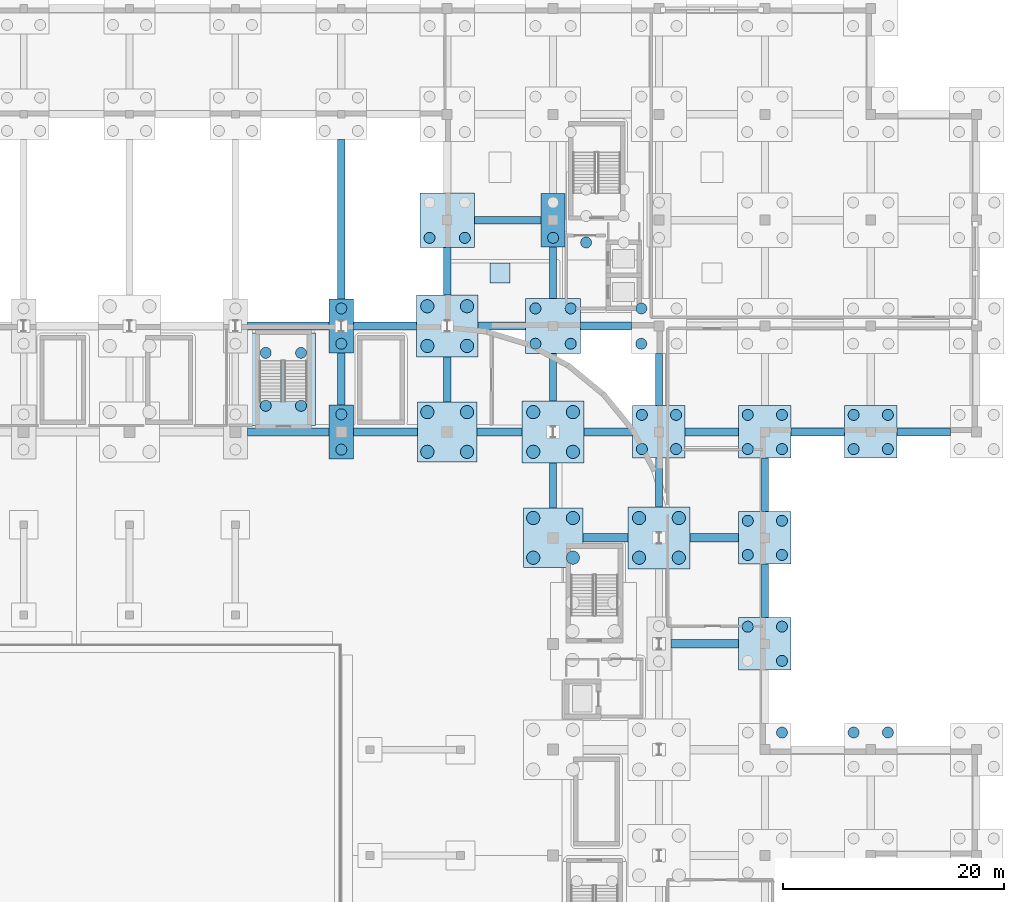
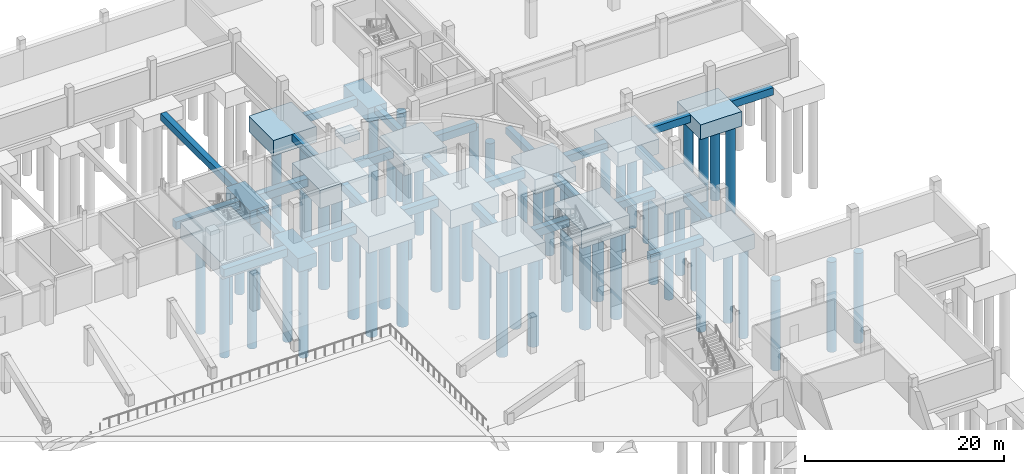
# One storey, part 9 of 67: 60 piles, 43 footings.
"""IFC4 building model written with IfcOpenShell, lengths in metres."""

from ifc_helpers import new_model, si_unit, direction, frame, origin, origin_2d, place, context, subcontext, project, spatial, polyline, rectangle, circle, outline, extrude, material, material_profile, profile_set, type_object, element, save


model = new_model("IFC4")

# Units and contexts
model_context = context("Model", 3, precision=1e-05, world=origin(), true_north=direction((0.0, 1.0)))
body_context = subcontext(model_context, "Body", "Model", "MODEL_VIEW")
ifc_project = project(units=[si_unit("LENGTHUNIT", "METRE"), si_unit("AREAUNIT", "SQUARE_METRE"), si_unit("VOLUMEUNIT", "CUBIC_METRE"), si_unit("PLANEANGLEUNIT", "RADIAN"), si_unit("MASSUNIT", "GRAM", prefix="KILO")], contexts=[model_context])

# Site, building, storey
site_placement = place(None, origin())
site = spatial("IfcSite", under=ifc_project, at=site_placement, CompositionType="ELEMENT")
building_placement = place(site_placement, origin())
building = spatial("IfcBuilding", under=site, at=building_placement, Name="Caelomonte Colonnade Arena", CompositionType="ELEMENT")
storey_placement = place(building_placement, frame((0.0, 0.0, -4.800048828125)))
storey = spatial("IfcBuildingStorey", under=building, at=storey_placement, Name="B1", CompositionType="ELEMENT", Elevation=-4.800048828125)

# Footings
ifc_material = material(Name="Concrete C40/50", Category="concrete")
footing_type_1 = type_object("IfcFootingType", Name="STR-FB-GB01", PredefinedType="FOOTING_BEAM", material=ifc_material)
footing_1_placement = place(storey_placement, frame((0.0, 0.0, -1.39990234375)))
element("IfcFooting", 1, at=footing_1_placement, inside=storey, type_object=footing_type_1, Name="Ground tie beam X (163.2..172.8, Y=86.4)", PredefinedType="FOOTING_BEAM", context=body_context, shape_type="SweptSolid", body=[
    extrude(outline(polyline([(164.300048828125, 86.02490234375), (170.419921875, 86.02490234375), (170.419921875, 86.77490234375), (164.300048828125, 86.77490234375), (164.300048828125, 86.02490234375)])), origin(), (0.0, 0.0, 1.0), 0.949951171875),
])
footing_2_placement = place(storey_placement, frame((0.0, 0.0, -1.39990234375)))
element("IfcFooting", 2, at=footing_2_placement, inside=storey, type_object=footing_type_1, Name="Ground tie beam X (153.6..163.2, Y=96.0)", PredefinedType="FOOTING_BEAM", context=body_context, shape_type="SweptSolid", body=[
    extrude(outline(polyline([(156.300048828125, 95.625), (160.39990234375, 95.625), (160.39990234375, 96.375), (156.300048828125, 96.375), (156.300048828125, 95.625)])), origin(), (0.0, 0.0, 1.0), 0.949951171875),
])
footing_3_placement = place(storey_placement, frame((0.0, 0.0, -1.39990234375)))
element("IfcFooting", 3, at=footing_3_placement, inside=storey, type_object=footing_type_1, Name="Ground tie beam X (163.2..172.8, Y=96.0)", PredefinedType="FOOTING_BEAM", context=body_context, shape_type="SweptSolid", body=[
    extrude(outline(polyline([(166.0, 95.625), (170.419921875, 95.625), (170.419921875, 96.375), (166.0, 96.375), (166.0, 95.625)])), origin(), (0.0, 0.0, 1.0), 0.949951171875),
])
footing_4_placement = place(storey_placement, frame((0.0, 0.0, -1.39990234375)))
element("IfcFooting", 4, at=footing_4_placement, inside=storey, type_object=footing_type_1, Name="Ground tie beam X (124.8..134.4, Y=105.6)", PredefinedType="FOOTING_BEAM", context=body_context, shape_type="SweptSolid", body=[
    extrude(outline(polyline([(125.89990234375, 105.22509765625), (133.300048828125, 105.22509765625), (133.300048828125, 105.97509765625), (125.89990234375, 105.97509765625), (125.89990234375, 105.22509765625)])), origin(), (0.0, 0.0, 1.0), 0.949951171875),
])
footing_5_placement = place(storey_placement, frame((0.0, 0.0, -1.39990234375)))
element("IfcFooting", 5, at=footing_5_placement, inside=storey, type_object=footing_type_1, Name="Ground tie beam X (134.4..144.0, Y=105.6)", PredefinedType="FOOTING_BEAM", context=body_context, shape_type="SweptSolid", body=[
    extrude(outline(polyline([(135.5, 105.22509765625), (141.300048828125, 105.22509765625), (141.300048828125, 105.97509765625), (135.5, 105.97509765625), (135.5, 105.22509765625)])), origin(), (0.0, 0.0, 1.0), 0.949951171875),
])
footing_6_placement = place(storey_placement, frame((0.0, 0.0, -1.39990234375)))
element("IfcFooting", 6, at=footing_6_placement, inside=storey, type_object=footing_type_1, Name="Ground tie beam X (144.0..153.6, Y=105.6)", PredefinedType="FOOTING_BEAM", context=body_context, shape_type="SweptSolid", body=[
    extrude(outline(polyline([(146.699951171875, 105.22509765625), (150.800048828125, 105.22509765625), (150.800048828125, 105.97509765625), (146.699951171875, 105.97509765625), (146.699951171875, 105.22509765625)])), origin(), (0.0, 0.0, 1.0), 0.949951171875),
])
footing_7_placement = place(storey_placement, frame((0.0, 0.0, -1.39990234375)))
element("IfcFooting", 7, at=footing_7_placement, inside=storey, type_object=footing_type_1, Name="Ground tie beam X (153.6..163.2, Y=105.6)", PredefinedType="FOOTING_BEAM", context=body_context, shape_type="SweptSolid", body=[
    extrude(outline(polyline([(156.39990234375, 105.22509765625), (160.820068359375, 105.22509765625), (160.820068359375, 105.97509765625), (156.39990234375, 105.97509765625), (156.39990234375, 105.22509765625)])), origin(), (0.0, 0.0, 1.0), 0.949951171875),
])
footing_8_placement = place(storey_placement, frame((0.0, 0.0, -1.39990234375)))
element("IfcFooting", 8, at=footing_8_placement, inside=storey, type_object=footing_type_1, Name="Ground tie beam X (163.2..172.8, Y=105.6)", PredefinedType="FOOTING_BEAM", context=body_context, shape_type="SweptSolid", body=[
    extrude(outline(polyline([(165.580078125, 105.22509765625), (170.419921875, 105.22509765625), (170.419921875, 105.97509765625), (165.580078125, 105.97509765625), (165.580078125, 105.22509765625)])), origin(), (0.0, 0.0, 1.0), 0.949951171875),
])
footing_9_placement = place(storey_placement, frame((0.0, 0.0, -1.39990234375)))
element("IfcFooting", 9, at=footing_9_placement, inside=storey, type_object=footing_type_1, Name="Ground tie beam X (124.8..134.4, Y=115.2)", PredefinedType="FOOTING_BEAM", context=body_context, shape_type="SweptSolid", body=[
    extrude(outline(polyline([(125.89990234375, 114.824951171875), (133.300048828125, 114.824951171875), (133.300048828125, 115.574951171875), (125.89990234375, 115.574951171875), (125.89990234375, 114.824951171875)])), origin(), (0.0, 0.0, 1.0), 0.949951171875),
])
footing_10_placement = place(storey_placement, frame((0.0, 0.0, -1.39990234375)))
element("IfcFooting", 10, at=footing_10_placement, inside=storey, type_object=footing_type_1, Name="Ground tie beam X (134.4..144.0, Y=115.2)", PredefinedType="FOOTING_BEAM", context=body_context, shape_type="SweptSolid", body=[
    extrude(outline(polyline([(135.5, 114.824951171875), (141.199951171875, 114.824951171875), (141.199951171875, 115.574951171875), (135.5, 115.574951171875), (135.5, 114.824951171875)])), origin(), (0.0, 0.0, 1.0), 0.949951171875),
])
footing_11_placement = place(storey_placement, frame((0.0, 0.0, -1.39990234375)))
element("IfcFooting", 11, at=footing_11_placement, inside=storey, type_object=footing_type_1, Name="Ground tie beam X (144.0..153.6, Y=115.2)", PredefinedType="FOOTING_BEAM", context=body_context, shape_type="SweptSolid", body=[
    extrude(outline(polyline([(146.800048828125, 114.824951171875), (151.1201171875, 114.824951171875), (151.1201171875, 115.574951171875), (146.800048828125, 115.574951171875), (146.800048828125, 114.824951171875)])), origin(), (0.0, 0.0, 1.0), 0.949951171875),
])
footing_12_placement = place(storey_placement, frame((0.0, 0.0, -1.39990234375)))
element("IfcFooting", 12, at=footing_12_placement, inside=storey, type_object=footing_type_1, Name="Ground tie beam X (153.6..163.2, Y=115.2)", PredefinedType="FOOTING_BEAM", context=body_context, shape_type="SweptSolid", body=[
    extrude(outline(polyline([(156.080078125, 114.824951171875), (160.719970703125, 114.824951171875), (160.719970703125, 115.574951171875), (156.080078125, 115.574951171875), (156.080078125, 114.824951171875)])), origin(), (0.0, 0.0, 1.0), 0.949951171875),
])
footing_type_2 = type_object("IfcFootingType", Name="STR-FB-GB02", PredefinedType="FOOTING_BEAM", material=ifc_material)
footing_13_placement = place(storey_placement, frame((0.0, 0.0, -1.349853515625)))
element("IfcFooting", 13, at=footing_13_placement, inside=storey, type_object=footing_type_2, Name="Ground tie beam X (172.8..182.4, Y=105.6)", PredefinedType="FOOTING_BEAM", context=body_context, shape_type="SweptSolid", body=[
    extrude(outline(polyline([(175.179931640625, 105.25), (180.02001953125, 105.25), (180.02001953125, 105.949951171875), (175.179931640625, 105.949951171875), (175.179931640625, 105.25)])), origin(), (0.0, 0.0, 1.0), 0.89990234375),
])
footing_14_placement = place(storey_placement, frame((0.0, 0.0, -1.349853515625)))
element("IfcFooting", 14, at=footing_14_placement, inside=storey, type_object=footing_type_2, Name="Ground tie beam X (182.4..192.0, Y=105.6)", PredefinedType="FOOTING_BEAM", context=body_context, shape_type="SweptSolid", body=[
    extrude(outline(polyline([(184.780029296875, 105.25), (189.6201171875, 105.25), (189.6201171875, 105.949951171875), (184.780029296875, 105.949951171875), (184.780029296875, 105.25)])), origin(), (0.0, 0.0, 1.0), 0.89990234375),
])
footing_15_placement = place(storey_placement, frame((0.0, 0.0, -1.349853515625)))
element("IfcFooting", 15, at=footing_15_placement, inside=storey, type_object=footing_type_2, Name="Ground tie beam X (144.0..153.6, Y=124.8)", PredefinedType="FOOTING_BEAM", context=body_context, shape_type="SweptSolid", body=[
    extrude(outline(polyline([(146.47998046875, 124.449951171875), (152.5, 124.449951171875), (152.5, 125.14990234375), (146.47998046875, 125.14990234375), (146.47998046875, 124.449951171875)])), origin(), (0.0, 0.0, 1.0), 0.89990234375),
])
footing_type_3 = type_object("IfcFootingType", Name="STR-FB-GB03", PredefinedType="FOOTING_BEAM", material=ifc_material)
footing_16_placement = place(storey_placement, frame((0.0, 0.0, -1.300048828125)))
element("IfcFooting", 16, at=footing_16_placement, inside=storey, type_object=footing_type_3, Name="Ground tie beam Y (X=134.4, 105.6..115.2)", PredefinedType="FOOTING_BEAM", context=body_context, shape_type="SweptSolid", body=[
    extrude(outline(polyline([(134.074951171875, 108.0400390625), (134.72509765625, 108.0400390625), (134.72509765625, 112.760009765625), (134.074951171875, 112.760009765625), (134.074951171875, 108.0400390625)])), origin(), (0.0, 0.0, 1.0), 0.85009765625),
])
footing_17_placement = place(storey_placement, frame((0.0, 0.0, -1.300048828125)))
element("IfcFooting", 17, at=footing_17_placement, inside=storey, type_object=footing_type_3, Name="Ground tie beam Y (X=134.4, 115.2..134.4)", PredefinedType="FOOTING_BEAM", context=body_context, shape_type="SweptSolid", body=[
    extrude(outline(polyline([(134.074951171875, 117.639892578125), (134.72509765625, 117.639892578125), (134.72509765625, 132.10009765625), (134.074951171875, 132.10009765625), (134.074951171875, 117.639892578125)])), origin(), (0.0, 0.0, 1.0), 0.85009765625),
])
footing_18_placement = place(storey_placement, frame((0.0, 0.0, -1.300048828125)))
element("IfcFooting", 18, at=footing_18_placement, inside=storey, type_object=footing_type_3, Name="Ground tie beam Y (X=144.0, 105.6..115.2)", PredefinedType="FOOTING_BEAM", context=body_context, shape_type="SweptSolid", body=[
    extrude(outline(polyline([(143.675048828125, 108.300048828125), (144.324951171875, 108.300048828125), (144.324951171875, 112.39990234375), (143.675048828125, 112.39990234375), (143.675048828125, 108.300048828125)])), origin(), (0.0, 0.0, 1.0), 0.85009765625),
])
footing_19_placement = place(storey_placement, frame((0.0, 0.0, -1.300048828125)))
element("IfcFooting", 19, at=footing_19_placement, inside=storey, type_object=footing_type_3, Name="Ground tie beam Y (X=144.0, 115.2..124.8)", PredefinedType="FOOTING_BEAM", context=body_context, shape_type="SweptSolid", body=[
    extrude(outline(polyline([(143.675048828125, 118.0), (144.324951171875, 118.0), (144.324951171875, 122.320068359375), (143.675048828125, 122.320068359375), (143.675048828125, 118.0)])), origin(), (0.0, 0.0, 1.0), 0.85009765625),
])
footing_20_placement = place(storey_placement, frame((0.0, 0.0, -1.300048828125)))
element("IfcFooting", 20, at=footing_20_placement, inside=storey, type_object=footing_type_3, Name="Ground tie beam Y (X=153.6, 96.0..105.6)", PredefinedType="FOOTING_BEAM", context=body_context, shape_type="SweptSolid", body=[
    extrude(outline(polyline([(153.27490234375, 98.699951171875), (153.925048828125, 98.699951171875), (153.925048828125, 102.800048828125), (153.27490234375, 102.800048828125), (153.27490234375, 98.699951171875)])), origin(), (0.0, 0.0, 1.0), 0.85009765625),
])
footing_21_placement = place(storey_placement, frame((0.0, 0.0, -1.300048828125)))
element("IfcFooting", 21, at=footing_21_placement, inside=storey, type_object=footing_type_3, Name="Ground tie beam Y (X=153.6, 105.6..115.2)", PredefinedType="FOOTING_BEAM", context=body_context, shape_type="SweptSolid", body=[
    extrude(outline(polyline([(153.27490234375, 108.39990234375), (153.925048828125, 108.39990234375), (153.925048828125, 112.719970703125), (153.27490234375, 112.719970703125), (153.27490234375, 108.39990234375)])), origin(), (0.0, 0.0, 1.0), 0.85009765625),
])
footing_22_placement = place(storey_placement, frame((0.0, 0.0, -1.300048828125)))
element("IfcFooting", 22, at=footing_22_placement, inside=storey, type_object=footing_type_3, Name="Ground tie beam Y (X=153.6, 115.2..124.8)", PredefinedType="FOOTING_BEAM", context=body_context, shape_type="SweptSolid", body=[
    extrude(outline(polyline([(153.27490234375, 117.679931640625), (153.925048828125, 117.679931640625), (153.925048828125, 122.360107421875), (153.27490234375, 122.360107421875), (153.27490234375, 117.679931640625)])), origin(), (0.0, 0.0, 1.0), 0.85009765625),
])
footing_23_placement = place(storey_placement, frame((0.0, 0.0, -1.300048828125)))
element("IfcFooting", 23, at=footing_23_placement, inside=storey, type_object=footing_type_3, Name="Ground tie beam Y (X=163.2, 96.0..105.6)", PredefinedType="FOOTING_BEAM", context=body_context, shape_type="SweptSolid", body=[
    extrude(outline(polyline([(162.875, 98.800048828125), (163.52490234375, 98.800048828125), (163.52490234375, 103.219970703125), (162.875, 103.219970703125), (162.875, 98.800048828125)])), origin(), (0.0, 0.0, 1.0), 0.85009765625),
])
footing_24_placement = place(storey_placement, frame((0.0, 0.0, -1.300048828125)))
element("IfcFooting", 24, at=footing_24_placement, inside=storey, type_object=footing_type_3, Name="Ground tie beam Y (X=163.2, 105.6..115.2)", PredefinedType="FOOTING_BEAM", context=body_context, shape_type="SweptSolid", body=[
    extrude(outline(polyline([(162.875, 107.97998046875), (163.52490234375, 107.97998046875), (163.52490234375, 112.719970703125), (162.875, 112.719970703125), (162.875, 107.97998046875)])), origin(), (0.0, 0.0, 1.0), 0.85009765625),
])
footing_25_placement = place(storey_placement, frame((0.0, 0.0, -1.300048828125)))
element("IfcFooting", 25, at=footing_25_placement, inside=storey, type_object=footing_type_3, Name="Ground tie beam Y (X=172.8, 86.4..96.0)", PredefinedType="FOOTING_BEAM", context=body_context, shape_type="SweptSolid", body=[
    extrude(outline(polyline([(172.47509765625, 88.780029296875), (173.125, 88.780029296875), (173.125, 93.6201171875), (172.47509765625, 93.6201171875), (172.47509765625, 88.780029296875)])), origin(), (0.0, 0.0, 1.0), 0.85009765625),
])
footing_26_placement = place(storey_placement, frame((0.0, 0.0, -1.300048828125)))
element("IfcFooting", 26, at=footing_26_placement, inside=storey, type_object=footing_type_3, Name="Ground tie beam Y (X=172.8, 96.0..105.6)", PredefinedType="FOOTING_BEAM", context=body_context, shape_type="SweptSolid", body=[
    extrude(outline(polyline([(172.47509765625, 98.3798828125), (173.125, 98.3798828125), (173.125, 103.219970703125), (172.47509765625, 103.219970703125), (172.47509765625, 98.3798828125)])), origin(), (0.0, 0.0, 1.0), 0.85009765625),
])
footing_type_4 = type_object("IfcFootingType", Name="STR-FC-PC01", PredefinedType="PILE_CAP", material=ifc_material)
for number, where, z_axis, x_axis, name in (
    (27, (144.0, 115.199951171875, -2.64990234375), (0.0, 0.0, 1.0), (1.0, 0.0, 0.0), "Pile cap FC-1440-1152"),
    (28, (153.60009765625, 105.60009765625, -2.64990234375), (0.0, 0.0, 1.0), (1.0, 0.0, 0.0), "Pile cap FC-1536-1056"),
    (29, (163.199951171875, 96.0, -2.64990234375), (0.0, 0.0, 1.0), (1.0, 0.0, 0.0), "Pile cap FC-1632-0960"),
):
    element("IfcFooting", number, at=place(storey_placement, frame(where, z_axis=z_axis, x_axis=x_axis)), inside=storey, type_object=footing_type_4, Name=name, PredefinedType="PILE_CAP", context=body_context, shape_type="SweptSolid", body=[
        extrude(rectangle(XDim=5.60009765625, YDim=5.60009765625, at=origin_2d()), origin(), (0.0, 0.0, 1.0), 2.199951171875),
    ])
footing_type_5 = type_object("IfcFootingType", Name="STR-FC-PC02", PredefinedType="PILE_CAP", material=ifc_material)
for number, where, z_axis, x_axis, name in (
    (30, (144.0, 105.60009765625, -2.449951171875), (0.0, 0.0, 1.0), (1.0, 0.0, 0.0), "Pile cap FC-1440-1056"),
    (31, (153.60009765625, 96.0, -2.449951171875), (0.0, 0.0, 1.0), (1.0, 0.0, 0.0), "Pile cap FC-1536-0960"),
):
    element("IfcFooting", number, at=place(storey_placement, frame(where, z_axis=z_axis, x_axis=x_axis)), inside=storey, type_object=footing_type_5, Name=name, PredefinedType="PILE_CAP", context=body_context, shape_type="SweptSolid", body=[
        extrude(rectangle(XDim=5.39990234375, YDim=5.39990234375, at=origin_2d()), origin(), (0.0, 0.0, 1.0), 2.0),
    ])
footing_type_6 = type_object("IfcFootingType", Name="STR-FC-PC03", PredefinedType="PILE_CAP", material=ifc_material)
for number, where, z_axis, x_axis, name in (
    (32, (144.0, 124.800048828125, -2.349853515625), (0.0, 0.0, 1.0), (1.0, 0.0, 0.0), "Pile cap FC-1440-1248"),
    (33, (153.60009765625, 115.199951171875, -2.349853515625), (0.0, 0.0, 1.0), (1.0, 0.0, 0.0), "Pile cap FC-1536-1152"),
):
    element("IfcFooting", number, at=place(storey_placement, frame(where, z_axis=z_axis, x_axis=x_axis)), inside=storey, type_object=footing_type_6, Name=name, PredefinedType="PILE_CAP", context=body_context, shape_type="SweptSolid", body=[
        extrude(rectangle(XDim=4.9599609375, YDim=4.9599609375, at=origin_2d()), origin(), (0.0, 0.0, 1.0), 1.89990234375),
    ])
footing_type_7 = type_object("IfcFootingType", Name="STR-FC-PC04", PredefinedType="PILE_CAP", material=ifc_material)
for number, where, z_axis, x_axis, name in (
    (34, (163.199951171875, 105.60009765625, -2.25), (0.0, 0.0, 1.0), (1.0, 0.0, 0.0), "Pile cap FC-1632-1056"),
    (35, (172.800048828125, 86.39990234375, -2.25), (0.0, 0.0, 1.0), (1.0, 0.0, 0.0), "Pile cap FC-1728-0864"),
    (36, (172.800048828125, 96.0, -2.25), (0.0, 0.0, 1.0), (1.0, 0.0, 0.0), "Pile cap FC-1728-0960"),
    (37, (172.800048828125, 105.60009765625, -2.25), (0.0, 0.0, 1.0), (1.0, 0.0, 0.0), "Pile cap FC-1728-1056"),
    (38, (182.39990234375, 105.60009765625, -2.25), (0.0, 0.0, 1.0), (1.0, 0.0, 0.0), "Pile cap FC-1824-1056"),
):
    element("IfcFooting", number, at=place(storey_placement, frame(where, z_axis=z_axis, x_axis=x_axis)), inside=storey, type_object=footing_type_7, Name=name, PredefinedType="PILE_CAP", context=body_context, shape_type="SweptSolid", body=[
        extrude(rectangle(XDim=4.760009765625, YDim=4.760009765625, at=origin_2d()), origin(), (0.0, 0.0, 1.0), 1.800048828125),
    ])
footing_type_8 = type_object("IfcFootingType", Name="STR-FC-PC07", PredefinedType="PILE_CAP", material=ifc_material)
for number, where, z_axis, x_axis, name in (
    (39, (134.39990234375, 105.60009765625, -2.14990234375), (0.0, 0.0, 1.0), (1.0, 0.0, 0.0), "Pile cap FC-1344-1056"),
    (40, (134.39990234375, 115.199951171875, -2.14990234375), (0.0, 0.0, 1.0), (1.0, 0.0, 0.0), "Pile cap FC-1344-1152"),
    (41, (153.60009765625, 124.800048828125, -2.14990234375), (0.0, 0.0, 1.0), (1.0, 0.0, 0.0), "Pile cap FC-1536-1248"),
):
    element("IfcFooting", number, at=place(storey_placement, frame(where, z_axis=z_axis, x_axis=x_axis)), inside=storey, type_object=footing_type_8, Name=name, PredefinedType="PILE_CAP", context=body_context, shape_type="SweptSolid", body=[
        extrude(rectangle(XDim=2.199951171875, YDim=4.8798828125, at=origin_2d()), origin(), (0.0, 0.0, 1.0), 1.699951171875),
    ])
footing_type_9 = type_object("IfcFootingType", Name="STR-FC-PC12", PredefinedType="PILE_CAP", material=ifc_material)
footing_27_placement = place(storey_placement, frame((129.14990234375, 110.375, -2.349853515625), z_axis=(0.0, 0.0, 1.0), x_axis=(1.0, 0.0, 0.0)))
element("IfcFooting", 42, at=footing_27_placement, inside=storey, type_object=footing_type_9, Name="Exit stair ST-16 pile cap", PredefinedType="PILE_CAP", context=body_context, shape_type="SweptSolid", body=[
    extrude(rectangle(XDim=5.800048828125, YDim=8.39990234375, at=origin_2d()), origin(), (0.0, 0.0, 1.0), 1.89990234375),
])
footing_type_10 = type_object("IfcFootingType", Name="STR-FD-PF04", PredefinedType="PAD_FOOTING", material=ifc_material)
footing_28_placement = place(storey_placement, frame((148.800048828125, 120.0, -1.199951171875), z_axis=(0.0, 0.0, 1.0), x_axis=(1.0, 0.0, 0.0)))
element("IfcFooting", 43, at=footing_28_placement, inside=storey, type_object=footing_type_10, Name="Equipment pad footing PF-07", PredefinedType="PAD_FOOTING", context=body_context, shape_type="SweptSolid", body=[
    extrude(rectangle(XDim=1.800048828125, YDim=1.800048828125, at=origin_2d()), origin(), (0.0, 0.0, 1.0), 0.75),
])

# Piles
ifc_material_profile_1 = material_profile(ifc_material, circle(Radius=0.5, at=origin_2d()), Name="PILE-D1000")
ifc_profile_set_1 = profile_set([ifc_material_profile_1], Name="Concrete C40/50")
pile_type_1 = type_object("IfcPileType", Name="STR-PL-D1000", PredefinedType="BORED", material=ifc_profile_set_1)
pile_1_placement = place(storey_placement, frame((156.60009765625, 122.77490234375, -2.349853515625), z_axis=(0.0, 0.0, -1.0), x_axis=(1.0, 0.0, 0.0)))
element("IfcPile", 44, at=pile_1_placement, inside=storey, type_object=pile_type_1, Name="Core C6 rock-socketed pile 1", PredefinedType="BORED", context=body_context, shape_type="SweptSolid", body=[
    extrude(circle(Radius=0.5, at=origin_2d()), origin(), (0.0, 0.0, 1.0), 10.85009765625),
])
for number, where, z_axis, x_axis, name in (
    (45, (127.550048828125, 107.97509765625, -2.25), (0.0, 0.0, -1.0), (1.0, 0.0, 0.0), "Stair ST-16 rock-socketed pile 1"),
    (46, (127.550048828125, 112.77490234375, -2.25), (0.0, 0.0, -1.0), (1.0, 0.0, 0.0), "Stair ST-16 rock-socketed pile 2"),
    (47, (130.75, 107.97509765625, -2.25), (0.0, 0.0, -1.0), (1.0, 0.0, 0.0), "Stair ST-16 rock-socketed pile 3"),
    (48, (130.75, 112.77490234375, -2.25), (0.0, 0.0, -1.0), (1.0, 0.0, 0.0), "Stair ST-16 rock-socketed pile 4"),
):
    element("IfcPile", number, at=place(storey_placement, frame(where, z_axis=z_axis, x_axis=x_axis)), inside=storey, type_object=pile_type_1, Name=name, PredefinedType="BORED", context=body_context, shape_type="SweptSolid", body=[
        extrude(circle(Radius=0.5, at=origin_2d()), origin(), (0.0, 0.0, 1.0), 10.949951171875),
    ])
for number, where, z_axis, x_axis, name in (
    (49, (134.39990234375, 104.0, -2.050048828125), (0.0, 0.0, -1.0), (1.0, 0.0, 0.0), "Rock-socketed bored pile FC-1344-1056-1"),
    (50, (134.39990234375, 107.199951171875, -2.050048828125), (0.0, 0.0, -1.0), (1.0, 0.0, 0.0), "Rock-socketed bored pile FC-1344-1056-2"),
    (51, (134.39990234375, 113.60009765625, -2.050048828125), (0.0, 0.0, -1.0), (1.0, 0.0, 0.0), "Rock-socketed bored pile FC-1344-1152-1"),
    (52, (134.39990234375, 116.800048828125, -2.050048828125), (0.0, 0.0, -1.0), (1.0, 0.0, 0.0), "Rock-socketed bored pile FC-1344-1152-2"),
):
    element("IfcPile", number, at=place(storey_placement, frame(where, z_axis=z_axis, x_axis=x_axis)), inside=storey, type_object=pile_type_1, Name=name, PredefinedType="BORED", context=body_context, shape_type="SweptSolid", body=[
        extrude(circle(Radius=0.5, at=origin_2d()), origin(), (0.0, 0.0, 1.0), 11.14990234375),
    ])
for number, where, z_axis, x_axis, name in (
    (53, (142.39990234375, 123.199951171875, -2.25), (0.0, 0.0, -1.0), (1.0, 0.0, 0.0), "Rock-socketed bored pile FC-1440-1248-1"),
    (54, (145.60009765625, 123.199951171875, -2.25), (0.0, 0.0, -1.0), (1.0, 0.0, 0.0), "Rock-socketed bored pile FC-1440-1248-2"),
    (55, (152.0, 113.60009765625, -2.25), (0.0, 0.0, -1.0), (1.0, 0.0, 0.0), "Rock-socketed bored pile FC-1536-1152-1"),
    (56, (155.199951171875, 113.60009765625, -2.25), (0.0, 0.0, -1.0), (1.0, 0.0, 0.0), "Rock-socketed bored pile FC-1536-1152-2"),
    (57, (152.0, 116.800048828125, -2.25), (0.0, 0.0, -1.0), (1.0, 0.0, 0.0), "Rock-socketed bored pile FC-1536-1152-3"),
    (58, (155.199951171875, 116.800048828125, -2.25), (0.0, 0.0, -1.0), (1.0, 0.0, 0.0), "Rock-socketed bored pile FC-1536-1152-4"),
):
    element("IfcPile", number, at=place(storey_placement, frame(where, z_axis=z_axis, x_axis=x_axis)), inside=storey, type_object=pile_type_1, Name=name, PredefinedType="BORED", context=body_context, shape_type="SweptSolid", body=[
        extrude(circle(Radius=0.5, at=origin_2d()), origin(), (0.0, 0.0, 1.0), 10.949951171875),
    ])
pile_2_placement = place(storey_placement, frame((153.60009765625, 123.199951171875, -2.050048828125), z_axis=(0.0, 0.0, -1.0), x_axis=(1.0, 0.0, 0.0)))
element("IfcPile", 59, at=pile_2_placement, inside=storey, type_object=pile_type_1, Name="Rock-socketed bored pile FC-1536-1248-1", PredefinedType="BORED", context=body_context, shape_type="SweptSolid", body=[
    extrude(circle(Radius=0.5, at=origin_2d()), origin(), (0.0, 0.0, 1.0), 11.14990234375),
])
for number, where, z_axis, x_axis, name in (
    (60, (161.64990234375, 104.050048828125, -2.14990234375), (0.0, 0.0, -1.0), (1.0, 0.0, 0.0), "Rock-socketed bored pile FC-1632-1056-1"),
    (61, (164.75, 104.050048828125, -2.14990234375), (0.0, 0.0, -1.0), (1.0, 0.0, 0.0), "Rock-socketed bored pile FC-1632-1056-2"),
    (62, (161.64990234375, 107.14990234375, -2.14990234375), (0.0, 0.0, -1.0), (1.0, 0.0, 0.0), "Rock-socketed bored pile FC-1632-1056-3"),
    (63, (164.75, 107.14990234375, -2.14990234375), (0.0, 0.0, -1.0), (1.0, 0.0, 0.0), "Rock-socketed bored pile FC-1632-1056-4"),
):
    element("IfcPile", number, at=place(storey_placement, frame(where, z_axis=z_axis, x_axis=x_axis)), inside=storey, type_object=pile_type_1, Name=name, PredefinedType="BORED", context=body_context, shape_type="SweptSolid", body=[
        extrude(circle(Radius=0.5, at=origin_2d()), origin(), (0.0, 0.0, 1.0), 11.050048828125),
    ])
for number, where, z_axis, x_axis, name in (
    (64, (161.60009765625, 113.60009765625, -2.25), (0.0, 0.0, -1.0), (1.0, 0.0, 0.0), "Rock-socketed bored pile FC-1632-1152-1"),
    (65, (161.60009765625, 116.800048828125, -2.25), (0.0, 0.0, -1.0), (1.0, 0.0, 0.0), "Rock-socketed bored pile FC-1632-1152-3"),
):
    element("IfcPile", number, at=place(storey_placement, frame(where, z_axis=z_axis, x_axis=x_axis)), inside=storey, type_object=pile_type_1, Name=name, PredefinedType="BORED", context=body_context, shape_type="SweptSolid", body=[
        extrude(circle(Radius=0.5, at=origin_2d()), origin(), (0.0, 0.0, 1.0), 10.949951171875),
    ])
for number, where, z_axis, x_axis, name in (
    (66, (174.35009765625, 78.35009765625, -2.14990234375), (0.0, 0.0, -1.0), (1.0, 0.0, 0.0), "Rock-socketed bored pile FC-1728-0768-4"),
    (67, (174.35009765625, 84.85009765625, -2.14990234375), (0.0, 0.0, -1.0), (1.0, 0.0, 0.0), "Rock-socketed bored pile FC-1728-0864-2"),
    (68, (171.25, 87.949951171875, -2.14990234375), (0.0, 0.0, -1.0), (1.0, 0.0, 0.0), "Rock-socketed bored pile FC-1728-0864-3"),
    (69, (174.35009765625, 87.949951171875, -2.14990234375), (0.0, 0.0, -1.0), (1.0, 0.0, 0.0), "Rock-socketed bored pile FC-1728-0864-4"),
    (70, (171.25, 94.449951171875, -2.14990234375), (0.0, 0.0, -1.0), (1.0, 0.0, 0.0), "Rock-socketed bored pile FC-1728-0960-1"),
    (71, (174.35009765625, 94.449951171875, -2.14990234375), (0.0, 0.0, -1.0), (1.0, 0.0, 0.0), "Rock-socketed bored pile FC-1728-0960-2"),
    (72, (171.25, 97.550048828125, -2.14990234375), (0.0, 0.0, -1.0), (1.0, 0.0, 0.0), "Rock-socketed bored pile FC-1728-0960-3"),
    (73, (174.35009765625, 97.550048828125, -2.14990234375), (0.0, 0.0, -1.0), (1.0, 0.0, 0.0), "Rock-socketed bored pile FC-1728-0960-4"),
    (74, (171.25, 104.050048828125, -2.14990234375), (0.0, 0.0, -1.0), (1.0, 0.0, 0.0), "Rock-socketed bored pile FC-1728-1056-1"),
    (75, (174.35009765625, 104.050048828125, -2.14990234375), (0.0, 0.0, -1.0), (1.0, 0.0, 0.0), "Rock-socketed bored pile FC-1728-1056-2"),
    (76, (171.25, 107.14990234375, -2.14990234375), (0.0, 0.0, -1.0), (1.0, 0.0, 0.0), "Rock-socketed bored pile FC-1728-1056-3"),
    (77, (174.35009765625, 107.14990234375, -2.14990234375), (0.0, 0.0, -1.0), (1.0, 0.0, 0.0), "Rock-socketed bored pile FC-1728-1056-4"),
    (78, (180.85009765625, 78.35009765625, -2.14990234375), (0.0, 0.0, -1.0), (1.0, 0.0, 0.0), "Rock-socketed bored pile FC-1824-0768-3"),
    (79, (183.949951171875, 78.35009765625, -2.14990234375), (0.0, 0.0, -1.0), (1.0, 0.0, 0.0), "Rock-socketed bored pile FC-1824-0768-4"),
    (80, (180.85009765625, 104.050048828125, -2.14990234375), (0.0, 0.0, -1.0), (1.0, 0.0, 0.0), "Rock-socketed bored pile FC-1824-1056-1"),
    (81, (183.949951171875, 104.050048828125, -2.14990234375), (0.0, 0.0, -1.0), (1.0, 0.0, 0.0), "Rock-socketed bored pile FC-1824-1056-2"),
    (82, (180.85009765625, 107.14990234375, -2.14990234375), (0.0, 0.0, -1.0), (1.0, 0.0, 0.0), "Rock-socketed bored pile FC-1824-1056-3"),
    (83, (183.949951171875, 107.14990234375, -2.14990234375), (0.0, 0.0, -1.0), (1.0, 0.0, 0.0), "Rock-socketed bored pile FC-1824-1056-4"),
):
    element("IfcPile", number, at=place(storey_placement, frame(where, z_axis=z_axis, x_axis=x_axis)), inside=storey, type_object=pile_type_1, Name=name, PredefinedType="BORED", context=body_context, shape_type="SweptSolid", body=[
        extrude(circle(Radius=0.5, at=origin_2d()), origin(), (0.0, 0.0, 1.0), 11.050048828125),
    ])
ifc_material_profile_2 = material_profile(ifc_material, circle(Radius=0.60009765625, at=origin_2d()), Name="PILE-D1200")
ifc_profile_set_2 = profile_set([ifc_material_profile_2], Name="Concrete C40/50")
pile_type_2 = type_object("IfcPileType", Name="STR-PL-D1200", PredefinedType="BORED", material=ifc_profile_set_2)
for number, where, z_axis, x_axis, name in (
    (84, (142.199951171875, 103.800048828125, -2.349853515625), (0.0, 0.0, -1.0), (1.0, 0.0, 0.0), "Rock-socketed bored pile FC-1440-1056-1"),
    (85, (145.800048828125, 103.800048828125, -2.349853515625), (0.0, 0.0, -1.0), (1.0, 0.0, 0.0), "Rock-socketed bored pile FC-1440-1056-2"),
    (86, (142.199951171875, 107.39990234375, -2.349853515625), (0.0, 0.0, -1.0), (1.0, 0.0, 0.0), "Rock-socketed bored pile FC-1440-1056-3"),
    (87, (145.800048828125, 107.39990234375, -2.349853515625), (0.0, 0.0, -1.0), (1.0, 0.0, 0.0), "Rock-socketed bored pile FC-1440-1056-4"),
):
    element("IfcPile", number, at=place(storey_placement, frame(where, z_axis=z_axis, x_axis=x_axis)), inside=storey, type_object=pile_type_2, Name=name, PredefinedType="BORED", context=body_context, shape_type="SweptSolid", body=[
        extrude(circle(Radius=0.60009765625, at=origin_2d()), origin(), (0.0, 0.0, 1.0), 10.85009765625),
    ])
for number, where, z_axis, x_axis, name in (
    (88, (142.199951171875, 113.39990234375, -2.550048828125), (0.0, 0.0, -1.0), (1.0, 0.0, 0.0), "Rock-socketed bored pile FC-1440-1152-1"),
    (89, (145.800048828125, 113.39990234375, -2.550048828125), (0.0, 0.0, -1.0), (1.0, 0.0, 0.0), "Rock-socketed bored pile FC-1440-1152-2"),
    (90, (142.199951171875, 117.0, -2.550048828125), (0.0, 0.0, -1.0), (1.0, 0.0, 0.0), "Rock-socketed bored pile FC-1440-1152-3"),
    (91, (145.800048828125, 117.0, -2.550048828125), (0.0, 0.0, -1.0), (1.0, 0.0, 0.0), "Rock-socketed bored pile FC-1440-1152-4"),
):
    element("IfcPile", number, at=place(storey_placement, frame(where, z_axis=z_axis, x_axis=x_axis)), inside=storey, type_object=pile_type_2, Name=name, PredefinedType="BORED", context=body_context, shape_type="SweptSolid", body=[
        extrude(circle(Radius=0.60009765625, at=origin_2d()), origin(), (0.0, 0.0, 1.0), 10.64990234375),
    ])
for number, where, z_axis, x_axis, name in (
    (92, (151.800048828125, 94.199951171875, -2.349853515625), (0.0, 0.0, -1.0), (1.0, 0.0, 0.0), "Rock-socketed bored pile FC-1536-0960-1"),
    (93, (155.39990234375, 94.199951171875, -2.349853515625), (0.0, 0.0, -1.0), (1.0, 0.0, 0.0), "Rock-socketed bored pile FC-1536-0960-2"),
    (94, (151.800048828125, 97.800048828125, -2.349853515625), (0.0, 0.0, -1.0), (1.0, 0.0, 0.0), "Rock-socketed bored pile FC-1536-0960-3"),
    (95, (155.39990234375, 97.800048828125, -2.349853515625), (0.0, 0.0, -1.0), (1.0, 0.0, 0.0), "Rock-socketed bored pile FC-1536-0960-4"),
):
    element("IfcPile", number, at=place(storey_placement, frame(where, z_axis=z_axis, x_axis=x_axis)), inside=storey, type_object=pile_type_2, Name=name, PredefinedType="BORED", context=body_context, shape_type="SweptSolid", body=[
        extrude(circle(Radius=0.60009765625, at=origin_2d()), origin(), (0.0, 0.0, 1.0), 10.85009765625),
    ])
for number, where, z_axis, x_axis, name in (
    (96, (151.800048828125, 103.800048828125, -2.550048828125), (0.0, 0.0, -1.0), (1.0, 0.0, 0.0), "Rock-socketed bored pile FC-1536-1056-1"),
    (97, (155.39990234375, 103.800048828125, -2.550048828125), (0.0, 0.0, -1.0), (1.0, 0.0, 0.0), "Rock-socketed bored pile FC-1536-1056-2"),
    (98, (151.800048828125, 107.39990234375, -2.550048828125), (0.0, 0.0, -1.0), (1.0, 0.0, 0.0), "Rock-socketed bored pile FC-1536-1056-3"),
    (99, (155.39990234375, 107.39990234375, -2.550048828125), (0.0, 0.0, -1.0), (1.0, 0.0, 0.0), "Rock-socketed bored pile FC-1536-1056-4"),
    (100, (161.39990234375, 94.199951171875, -2.550048828125), (0.0, 0.0, -1.0), (1.0, 0.0, 0.0), "Rock-socketed bored pile FC-1632-0960-1"),
    (101, (165.0, 94.199951171875, -2.550048828125), (0.0, 0.0, -1.0), (1.0, 0.0, 0.0), "Rock-socketed bored pile FC-1632-0960-2"),
    (102, (161.39990234375, 97.800048828125, -2.550048828125), (0.0, 0.0, -1.0), (1.0, 0.0, 0.0), "Rock-socketed bored pile FC-1632-0960-3"),
    (103, (165.0, 97.800048828125, -2.550048828125), (0.0, 0.0, -1.0), (1.0, 0.0, 0.0), "Rock-socketed bored pile FC-1632-0960-4"),
):
    element("IfcPile", number, at=place(storey_placement, frame(where, z_axis=z_axis, x_axis=x_axis)), inside=storey, type_object=pile_type_2, Name=name, PredefinedType="BORED", context=body_context, shape_type="SweptSolid", body=[
        extrude(circle(Radius=0.60009765625, at=origin_2d()), origin(), (0.0, 0.0, 1.0), 10.64990234375),
    ])

save(model, "model.ifc")
